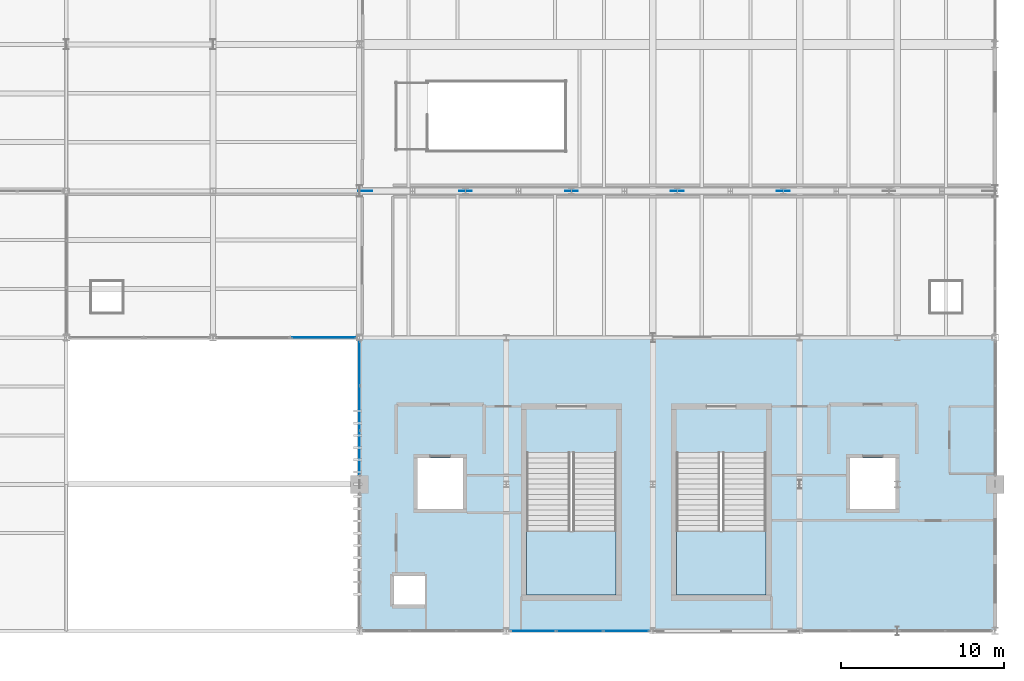
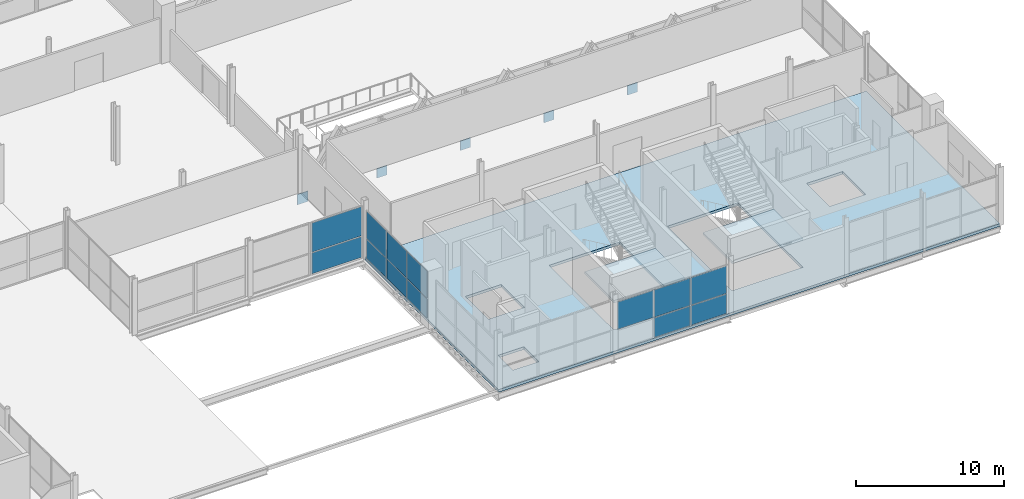
# One storey, part 168 of 224: 18 plates, 3 slabs, 5 elements without a shape of their own.
"""IFC4 building model written with IfcOpenShell, lengths in metres."""

from ifc_helpers import new_model, si_unit, direction, frame, origin, origin_2d, place, context, subcontext, project, spatial, polyline, rectangle, outline, extrude, material, layer, layer_set, type_object, element, aggregate, save


model = new_model("IFC4")

# Units and contexts
model_context = context("Model", 3, precision=1e-05, world=origin(), true_north=direction((0.0, 1.0)))
body_context = subcontext(model_context, "Body", "Model", "MODEL_VIEW")
ifc_project = project(units=[si_unit("LENGTHUNIT", "METRE"), si_unit("AREAUNIT", "SQUARE_METRE"), si_unit("VOLUMEUNIT", "CUBIC_METRE"), si_unit("PLANEANGLEUNIT", "RADIAN"), si_unit("MASSUNIT", "GRAM", prefix="KILO")], contexts=[model_context])

# Site, building, storey
site_placement = place(None, origin())
site = spatial("IfcSite", under=ifc_project, at=site_placement, CompositionType="ELEMENT")
building_placement = place(site_placement, origin())
building = spatial("IfcBuilding", under=site, at=building_placement, Name="Qamarlyn Nura Convention Centre", CompositionType="ELEMENT")
storey_placement = place(building_placement, frame((0.0, 0.0, 10.800048828125)))
storey = spatial("IfcBuildingStorey", under=building, at=storey_placement, Name="L02", CompositionType="ELEMENT", Elevation=10.800048828125)

# Curtain wall, plates
ifc_material_1 = material(Name="Double-silver low-E insulated glass", Category="glass")
ifc_layer_1 = layer(ifc_material_1, 0.179931640625, Name="CW-UNIT-103")
ifc_layer_set_1 = layer_set([ifc_layer_1], Name="Double-silver low-E insulated glass")
curtain_wall_type_1 = type_object("IfcCurtainWallType", Name="CW-UNIT-103", PredefinedType="NOTDEFINED", material=ifc_layer_set_1)
curtain_wall_1_placement = place(storey_placement, origin())
curtain_wall_1 = element("IfcCurtainWall", 1, at=curtain_wall_1_placement, inside=storey, type_object=curtain_wall_type_1, Name="L02 unitised curtain wall BLW-SE-1A", PredefinedType="NOTDEFINED")
ifc_layer_2 = layer(ifc_material_1, 0.028076171875, Name="CWP-VIS-28")
ifc_layer_set_2 = layer_set([ifc_layer_2], Name="Double-silver low-E insulated glass")
plate_type_1 = type_object("IfcPlateType", Name="CWP-VIS-28", PredefinedType="CURTAIN_PANEL", material=ifc_layer_set_2)
plate_1_placement = place(storey_placement, frame((150.798828125, 18.0, 0.06494140625), z_axis=(0.0, 0.0, 1.0), x_axis=(-1.0, 0.0, 0.0)))
plate_1 = element("IfcPlate", 2, at=plate_1_placement, type_object=plate_type_1, Name="CW103 panel 1.1", PredefinedType="CURTAIN_PANEL", context=body_context, shape_type="SweptSolid", body=[
    extrude(rectangle(XDim=3.872314453125, YDim=0.028076171875, at=origin_2d()), origin(), (0.0, 0.0, 1.0), 1.71240234375),
])
plate_2_placement = place(storey_placement, frame((150.798828125, 18.0, 1.84228515625), z_axis=(0.0, 0.0, 1.0), x_axis=(-1.0, 0.0, 0.0)))
plate_2 = element("IfcPlate", 3, at=plate_2_placement, type_object=plate_type_1, Name="CW103 panel 1.2", PredefinedType="CURTAIN_PANEL", context=body_context, shape_type="SweptSolid", body=[
    extrude(rectangle(XDim=3.872314453125, YDim=0.028076171875, at=origin_2d()), origin(), (0.0, 0.0, 1.0), 2.402587890625),
])
aggregate(curtain_wall_1, [plate_1, plate_2])

ifc_layer_3 = layer(ifc_material_1, 0.179931640625, Name="CW-UNIT-97")
ifc_layer_set_3 = layer_set([ifc_layer_3], Name="Double-silver low-E insulated glass")
curtain_wall_type_2 = type_object("IfcCurtainWallType", Name="CW-UNIT-97", PredefinedType="NOTDEFINED", material=ifc_layer_set_3)
curtain_wall_2_placement = place(storey_placement, origin())
curtain_wall_2 = element("IfcCurtainWall", 4, at=curtain_wall_2_placement, inside=storey, type_object=curtain_wall_type_2, Name="L02 unitised curtain wall STH-2-1", PredefinedType="NOTDEFINED")
ifc_layer_4 = layer(ifc_material_1, 0.031982421875, Name="CWP-VIS-32")
ifc_layer_set_4 = layer_set([ifc_layer_4], Name="Double-silver low-E insulated glass")
plate_type_2 = type_object("IfcPlateType", Name="CWP-VIS-32", PredefinedType="CURTAIN_PANEL", material=ifc_layer_set_4)
plate_3_placement = place(storey_placement, frame((169.35986328125, 0.0, 0.06982421875), z_axis=(0.0, 0.0, 1.0), x_axis=(-1.0, 0.0, 0.0)))
plate_3 = element("IfcPlate", 5, at=plate_3_placement, type_object=plate_type_2, Name="CW97 panel 1.1", PredefinedType="CURTAIN_PANEL", context=body_context, shape_type="SweptSolid", body=[
    extrude(rectangle(XDim=2.76611328125, YDim=0.031982421875, at=origin_2d()), origin(), (0.0, 0.0, 1.0), 1.593994140625),
])
plate_4_placement = place(storey_placement, frame((169.35986328125, 0.0, 1.73388671875), z_axis=(0.0, 0.0, 1.0), x_axis=(-1.0, 0.0, 0.0)))
plate_4 = element("IfcPlate", 6, at=plate_4_placement, type_object=plate_type_2, Name="CW97 panel 1.2", PredefinedType="CURTAIN_PANEL", context=body_context, shape_type="SweptSolid", body=[
    extrude(rectangle(XDim=2.76611328125, YDim=0.031982421875, at=origin_2d()), origin(), (0.0, 0.0, 1.0), 2.241943359375),
])
plate_5_placement = place(storey_placement, frame((166.50634765625, 0.0, 0.06982421875), z_axis=(0.0, 0.0, 1.0), x_axis=(-1.0, 0.0, 0.0)))
plate_5 = element("IfcPlate", 7, at=plate_5_placement, type_object=plate_type_2, Name="CW97 panel 2.1", PredefinedType="CURTAIN_PANEL", context=body_context, shape_type="SweptSolid", body=[
    extrude(rectangle(XDim=2.80126953125, YDim=0.031982421875, at=origin_2d()), origin(), (0.0, 0.0, 1.0), 1.593994140625),
])
plate_6_placement = place(storey_placement, frame((166.50634765625, 0.0, 1.73388671875), z_axis=(0.0, 0.0, 1.0), x_axis=(-1.0, 0.0, 0.0)))
plate_6 = element("IfcPlate", 8, at=plate_6_placement, type_object=plate_type_2, Name="CW97 panel 2.2", PredefinedType="CURTAIN_PANEL", context=body_context, shape_type="SweptSolid", body=[
    extrude(rectangle(XDim=2.80126953125, YDim=0.031982421875, at=origin_2d()), origin(), (0.0, 0.0, 1.0), 2.241943359375),
])
plate_7_placement = place(storey_placement, frame((163.652587890625, 0.0, 1.73388671875), z_axis=(0.0, 0.0, 1.0), x_axis=(-1.0, 0.0, 0.0)))
plate_7 = element("IfcPlate", 9, at=plate_7_placement, type_object=plate_type_2, Name="CW97 panel 3.2", PredefinedType="CURTAIN_PANEL", context=body_context, shape_type="SweptSolid", body=[
    extrude(rectangle(XDim=2.76611328125, YDim=0.031982421875, at=origin_2d()), origin(), (0.0, 0.0, 1.0), 2.241943359375),
])
aggregate(curtain_wall_2, [plate_3, plate_4, plate_5, plate_6, plate_7])

ifc_layer_5 = layer(ifc_material_1, 0.179931640625, Name="CW-UNIT-101")
ifc_layer_set_5 = layer_set([ifc_layer_5], Name="Double-silver low-E insulated glass")
curtain_wall_type_3 = type_object("IfcCurtainWallType", Name="CW-UNIT-101", PredefinedType="NOTDEFINED", material=ifc_layer_set_5)
curtain_wall_3_placement = place(storey_placement, origin())
curtain_wall_3 = element("IfcCurtainWall", 10, at=curtain_wall_3_placement, inside=storey, type_object=curtain_wall_type_3, Name="L02 unitised curtain wall FCW-9-1", PredefinedType="NOTDEFINED")
plate_8_placement = place(storey_placement, frame((153.0, 10.941162109375, 0.06494140625), z_axis=(0.0, 0.0, 1.0), x_axis=(0.0, 1.0, 0.0)))
plate_8 = element("IfcPlate", 11, at=plate_8_placement, type_object=plate_type_2, Name="CW101 panel 1.1", PredefinedType="CURTAIN_PANEL", context=body_context, shape_type="SweptSolid", body=[
    extrude(rectangle(XDim=2.652587890625, YDim=0.031982421875, at=origin_2d()), origin(), (0.0, 0.0, 1.0), 1.571533203125),
])
plate_9_placement = place(storey_placement, frame((153.0, 10.941162109375, 1.701416015625), z_axis=(0.0, 0.0, 1.0), x_axis=(0.0, 1.0, 0.0)))
plate_9 = element("IfcPlate", 12, at=plate_9_placement, type_object=plate_type_2, Name="CW101 panel 1.2", PredefinedType="CURTAIN_PANEL", context=body_context, shape_type="SweptSolid", body=[
    extrude(rectangle(XDim=2.652587890625, YDim=0.031982421875, at=origin_2d()), origin(), (0.0, 0.0, 1.0), 2.20751953125),
])
plate_10_placement = place(storey_placement, frame((153.0, 13.675048828125, 0.06494140625), z_axis=(0.0, 0.0, 1.0), x_axis=(0.0, 1.0, 0.0)))
plate_10 = element("IfcPlate", 13, at=plate_10_placement, type_object=plate_type_2, Name="CW101 panel 2.1", PredefinedType="CURTAIN_PANEL", context=body_context, shape_type="SweptSolid", body=[
    extrude(rectangle(XDim=2.68505859375, YDim=0.031982421875, at=origin_2d()), origin(), (0.0, 0.0, 1.0), 1.571533203125),
])
plate_11_placement = place(storey_placement, frame((153.0, 13.675048828125, 1.701416015625), z_axis=(0.0, 0.0, 1.0), x_axis=(0.0, 1.0, 0.0)))
plate_11 = element("IfcPlate", 14, at=plate_11_placement, type_object=plate_type_2, Name="CW101 panel 2.2", PredefinedType="CURTAIN_PANEL", context=body_context, shape_type="SweptSolid", body=[
    extrude(rectangle(XDim=2.68505859375, YDim=0.031982421875, at=origin_2d()), origin(), (0.0, 0.0, 1.0), 2.20751953125),
])
plate_12_placement = place(storey_placement, frame((153.0, 16.40869140625, 0.06494140625), z_axis=(0.0, 0.0, 1.0), x_axis=(0.0, 1.0, 0.0)))
plate_12 = element("IfcPlate", 15, at=plate_12_placement, type_object=plate_type_2, Name="CW101 panel 3.1", PredefinedType="CURTAIN_PANEL", context=body_context, shape_type="SweptSolid", body=[
    extrude(rectangle(XDim=2.652587890625, YDim=0.031982421875, at=origin_2d()), origin(), (0.0, 0.0, 1.0), 1.571533203125),
])
plate_13_placement = place(storey_placement, frame((153.0, 16.40869140625, 1.701416015625), z_axis=(0.0, 0.0, 1.0), x_axis=(0.0, 1.0, 0.0)))
plate_13 = element("IfcPlate", 16, at=plate_13_placement, type_object=plate_type_2, Name="CW101 panel 3.2", PredefinedType="CURTAIN_PANEL", context=body_context, shape_type="SweptSolid", body=[
    extrude(rectangle(XDim=2.652587890625, YDim=0.031982421875, at=origin_2d()), origin(), (0.0, 0.0, 1.0), 2.20751953125),
])
aggregate(curtain_wall_3, [plate_8, plate_9, plate_10, plate_11, plate_12, plate_13])

# Plates
ifc_material_2 = material(Name="Structural steel ASTM A572 Grade 50", Category="steel")
ifc_layer_6 = layer(ifc_material_2, 0.044921875, Name="GP-TN1")
ifc_layer_set_6 = layer_set([ifc_layer_6], Name="Structural steel ASTM A572 Grade 50")
plate_type_3 = type_object("IfcPlateType", Name="GP-TN1", PredefinedType="USERDEFINED", material=ifc_layer_set_6)
plate_14_placement = place(storey_placement, frame((153.35009765625, 27.0, -1.14111328125), z_axis=(0.0, 0.0, 1.0), x_axis=(1.0, 0.0, 0.0)))
element("IfcPlate", 17, at=plate_14_placement, inside=storey, type_object=plate_type_3, Name="Transfer structure node gusset plate D-WB", ObjectType="GUSSET PLATE", PredefinedType="USERDEFINED", context=body_context, shape_type="SweptSolid", body=[
    extrude(rectangle(XDim=0.85009765625, YDim=0.044921875, at=origin_2d()), origin(), (0.0, 0.0, 1.0), 0.85009765625),
])
ifc_layer_7 = layer(ifc_material_2, 0.050048828125, Name="GP-TN2")
ifc_layer_set_7 = layer_set([ifc_layer_7], Name="Structural steel ASTM A572 Grade 50")
plate_type_4 = type_object("IfcPlateType", Name="GP-TN2", PredefinedType="USERDEFINED", material=ifc_layer_set_7)
for number, where, z_axis, x_axis, name in (
    (18, (159.5, 27.0, -1.10595703125), (0.0, 0.0, 1.0), (1.0, 0.0, 0.0), "Transfer truss bottom node gusset plate D-V1B"),
    (19, (166.0, 27.0, -1.10595703125), (0.0, 0.0, 1.0), (1.0, 0.0, 0.0), "Transfer truss bottom node gusset plate D-V2B"),
    (20, (172.5, 27.0, -1.10595703125), (0.0, 0.0, 1.0), (1.0, 0.0, 0.0), "Transfer truss bottom node gusset plate D-V3B"),
    (21, (179.0, 27.0, -1.10595703125), (0.0, 0.0, 1.0), (1.0, 0.0, 0.0), "Transfer truss bottom node gusset plate D-V4B"),
):
    element("IfcPlate", number, at=place(storey_placement, frame(where, z_axis=z_axis, x_axis=x_axis)), inside=storey, type_object=plate_type_4, Name=name, ObjectType="GUSSET PLATE", PredefinedType="USERDEFINED", context=body_context, shape_type="SweptSolid", body=[
        extrude(rectangle(XDim=0.780029296875, YDim=0.050048828125, at=origin_2d()), origin(), (0.0, 0.0, 1.0), 0.780029296875),
    ])

# Slab
ifc_material_3 = material(Name="Concrete C40/50", Category="concrete")
ifc_layer_8 = layer(ifc_material_3, 0.219970703125, Name="SL-L02")
ifc_layer_set_8 = layer_set([ifc_layer_8], Name="Concrete C40/50")
slab_type_1 = type_object("IfcSlabType", Name="SL-L02", PredefinedType="FLOOR", material=ifc_layer_set_8)
slab_1_placement = place(storey_placement, frame((0.0, 0.0, -0.219970703125)))
element("IfcSlab", 22, at=slab_1_placement, inside=storey, type_object=slab_type_1, Name="L02 floor slab L02-S1", PredefinedType="FLOOR", context=body_context, shape_type="SweptSolid", body=[
    extrude(outline(polyline([(153.0, 18.0), (192.0, 18.0), (192.0, 0.0), (153.0, 0.0), (153.0, 18.0)]), holes=[polyline([(155.0, 3.5), (155.0, 1.5), (157.0, 1.5), (157.0, 3.5), (155.0, 3.5)]), polyline([(163.25, 10.93994140625), (163.25, 2.199951171875), (168.75, 2.199951171875), (168.75, 10.93994140625), (163.25, 10.93994140625)]), polyline([(159.35009765625, 7.5), (159.35009765625, 10.60009765625), (156.550048828125, 10.60009765625), (156.550048828125, 7.5), (159.35009765625, 7.5)]), polyline([(172.449951171875, 2.199951171875), (177.949951171875, 2.199951171875), (177.949951171875, 10.93994140625), (172.449951171875, 10.93994140625), (172.449951171875, 2.199951171875)]), polyline([(185.89990234375, 7.5), (185.89990234375, 10.60009765625), (183.10009765625, 10.60009765625), (183.10009765625, 7.5), (185.89990234375, 7.5)])]), origin(), (0.0, 0.0, 1.0), 0.219970703125),
])

# Stair, slab
stair_type = type_object("IfcStairType", Name="STAIR-EXIT-48", PredefinedType="HALF_TURN_STAIR", material=ifc_material_3)
stair_1_placement = place(storey_placement, origin())
stair_1 = element("IfcStair", 23, at=stair_1_placement, inside=storey, type_object=stair_type, Name="L02 Enclosed exit stair ST-09", PredefinedType="HALF_TURN_STAIR")
ifc_layer_9 = layer(ifc_material_3, 0.199951171875, Name="SL-LAND-200")
ifc_layer_set_9 = layer_set([ifc_layer_9], Name="Concrete C40/50")
slab_type_2 = type_object("IfcSlabType", Name="SL-LAND-200", PredefinedType="LANDING", material=ifc_layer_set_9)
slab_2_placement = place(storey_placement, frame((0.0, 0.0, 2.199951171875)))
slab_2 = element("IfcSlab", 24, at=slab_2_placement, type_object=slab_type_2, Name="ST-09 landing 1", PredefinedType="LANDING", context=body_context, shape_type="SweptSolid", body=[
    extrude(outline(polyline([(163.25, 6.139892578125), (163.25, 2.199951171875), (168.75, 2.199951171875), (168.75, 6.139892578125), (163.25, 6.139892578125)])), origin(), (0.0, 0.0, 1.0), 0.199951171875),
])
aggregate(stair_1, [slab_2])

stair_2_placement = place(storey_placement, origin())
stair_2 = element("IfcStair", 25, at=stair_2_placement, inside=storey, type_object=stair_type, Name="L02 Enclosed exit stair ST-10", PredefinedType="HALF_TURN_STAIR")
slab_3_placement = place(storey_placement, frame((0.0, 0.0, 2.199951171875)))
slab_3 = element("IfcSlab", 26, at=slab_3_placement, type_object=slab_type_2, Name="ST-10 landing 1", PredefinedType="LANDING", context=body_context, shape_type="SweptSolid", body=[
    extrude(outline(polyline([(172.449951171875, 6.139892578125), (172.449951171875, 2.199951171875), (177.949951171875, 2.199951171875), (177.949951171875, 6.139892578125), (172.449951171875, 6.139892578125)])), origin(), (0.0, 0.0, 1.0), 0.199951171875),
])
aggregate(stair_2, [slab_3])

save(model, "model.ifc")
